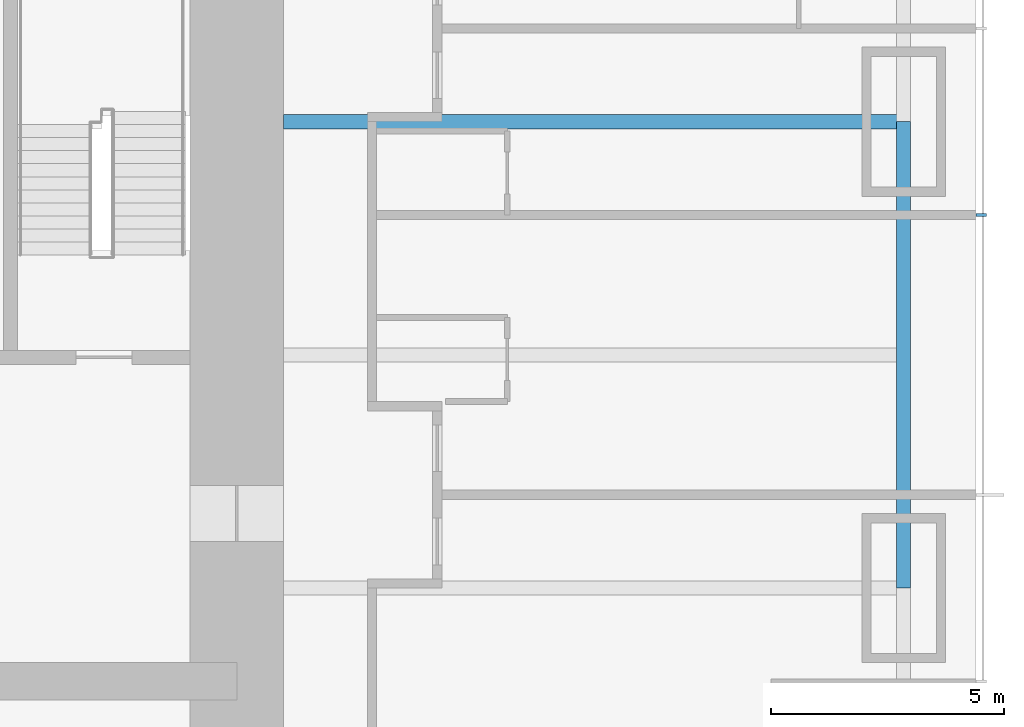
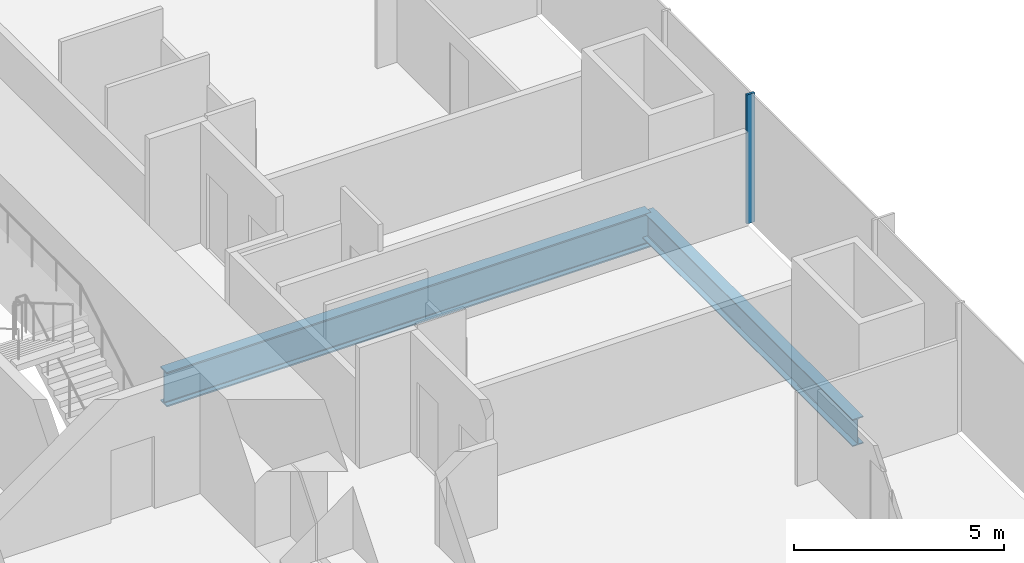
# One storey, part 5 of 17: 2 beams, 1 member, 1 element without a shape of its own.
"""IFC4 building model written with IfcOpenShell, lengths in metres."""

from ifc_helpers import new_model, si_unit, direction, frame, origin, origin_2d, place, context, subcontext, project, spatial, rectangle, i_section, extrude, material, material_profile, profile_set, type_object, element, aggregate, save


model = new_model("IFC4")

# Units and contexts
model_context = context("Model", 3, precision=1e-05, world=origin(), true_north=direction((0.0, 1.0)))
body_context = subcontext(model_context, "Body", "Model", "MODEL_VIEW")
ifc_project = project(units=[si_unit("LENGTHUNIT", "METRE"), si_unit("AREAUNIT", "SQUARE_METRE"), si_unit("VOLUMEUNIT", "CUBIC_METRE"), si_unit("PLANEANGLEUNIT", "RADIAN"), si_unit("MASSUNIT", "GRAM", prefix="KILO")], contexts=[model_context])

# Site, building, storey
site_placement = place(None, origin())
site = spatial("IfcSite", under=ifc_project, at=site_placement, CompositionType="ELEMENT")
building_placement = place(site_placement, origin())
building = spatial("IfcBuilding", under=site, at=building_placement, Name="Khuree Lantern Residences", CompositionType="ELEMENT")
storey_placement = place(building_placement, frame((0.0, 0.0, 58.5)))
storey = spatial("IfcBuildingStorey", under=building, at=storey_placement, Name="L14", CompositionType="ELEMENT", Elevation=58.5)

# Beams
ifc_material_1 = material(Name="Steel S355", Category="steel")
ifc_material_profile_1 = material_profile(ifc_material_1, i_section(OverallWidth=0.300048828125, OverallDepth=0.7900390625, WebThickness=0.014892578125, FlangeThickness=0.028076171875, FilletRadius=0.030029296875, at=origin_2d()), Name="HE 800 A")
ifc_profile_set_1 = profile_set([ifc_material_profile_1], Name="Steel S355")
beam_type_1 = type_object("IfcBeamType", Name="E-13 SPANDREL BEAM HE 800 A", PredefinedType="SPANDREL", material=ifc_profile_set_1)
beam_1_placement = place(storey_placement, frame((29.800048828125, 0.0, -0.64501953125), z_axis=(0.0, -1.0, 0.0), x_axis=(1.0, 0.0, 0.0)))
element("IfcBeam", 1, at=beam_1_placement, inside=storey, type_object=beam_type_1, Name="Spandrel beam E4", PredefinedType="SPANDREL", context=body_context, shape_type="SweptSolid", body=[
    extrude(i_section(OverallWidth=0.300048828125, OverallDepth=0.7900390625, WebThickness=0.014892578125, FlangeThickness=0.028076171875, FilletRadius=0.030029296875, at=origin_2d()), origin(), (0.0, 0.0, 1.0), 10.0),
])
ifc_material_profile_2 = material_profile(ifc_material_1, i_section(OverallWidth=0.302001953125, OverallDepth=1.008056640625, WebThickness=0.02099609375, FlangeThickness=0.0400390625, FilletRadius=0.030029296875, at=origin_2d()), Name="HE 1000 M")
ifc_profile_set_2 = profile_set([ifc_material_profile_2], Name="Steel S355")
beam_type_2 = type_object("IfcBeamType", Name="G-13 GIRDER HE 1000 M", PredefinedType="BEAM", material=ifc_profile_set_2)
beam_2_placement = place(storey_placement, frame((29.800048828125, 0.0, -0.75390625), z_axis=(-1.0, 0.0, 0.0), x_axis=(0.0, -1.0, 0.0)))
element("IfcBeam", 2, at=beam_2_placement, inside=storey, type_object=beam_type_2, Name="Girder E3", PredefinedType="BEAM", context=body_context, shape_type="SweptSolid", body=[
    extrude(i_section(OverallWidth=0.302001953125, OverallDepth=1.008056640625, WebThickness=0.02099609375, FlangeThickness=0.0400390625, FilletRadius=0.030029296875, at=origin_2d()), origin(), (0.0, 0.0, 1.0), 13.300048828125),
])

# Curtain wall, member
ifc_material_2 = material(Name="Bronze anodised aluminium", Category="aluminium")
curtain_wall_type = type_object("IfcCurtainWallType", Name="CW-T1 TOWER FACE CURTAIN WALL", PredefinedType="USERDEFINED", material=ifc_material_2)
curtain_wall_placement = place(storey_placement, origin())
curtain_wall = element("IfcCurtainWall", 3, at=curtain_wall_placement, inside=storey, type_object=curtain_wall_type, Name="L14 EAST FACE CURTAIN WALL", ObjectType="Stick-built curtain wall", PredefinedType="USERDEFINED")
ifc_material_profile_3 = material_profile(ifc_material_2, rectangle(XDim=0.06494140625, YDim=0.219970703125, at=origin_2d()), Name="M1 65X220")
ifc_profile_set_3 = profile_set([ifc_material_profile_3], Name="Bronze anodised aluminium")
member_type = type_object("IfcMemberType", Name="M1 BRONZE MULLION TOWER 65X220", PredefinedType="MULLION", material=ifc_profile_set_3)
member_placement = place(storey_placement, frame((31.4599609375, -2.0, 0.0), z_axis=(0.0, 0.0, 1.0), x_axis=(0.0, 1.0, 0.0)))
member = element("IfcMember", 4, at=member_placement, type_object=member_type, Name="L14 EAST FACE MULLION 9", PredefinedType="MULLION", context=body_context, shape_type="SweptSolid", body=[
    extrude(rectangle(XDim=0.06494140625, YDim=0.219970703125, at=origin_2d()), origin(), (0.0, 0.0, 1.0), 3.75),
])
aggregate(curtain_wall, [member])

save(model, "model.ifc")
